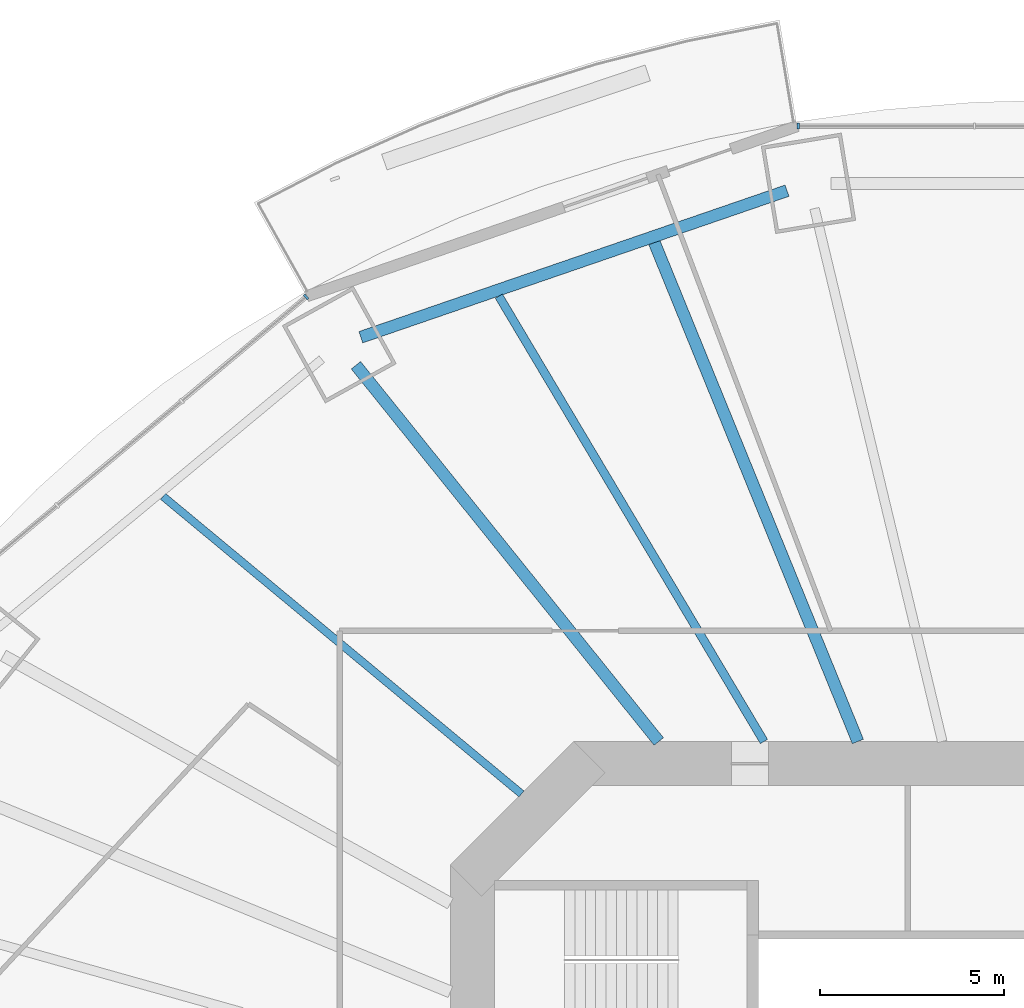
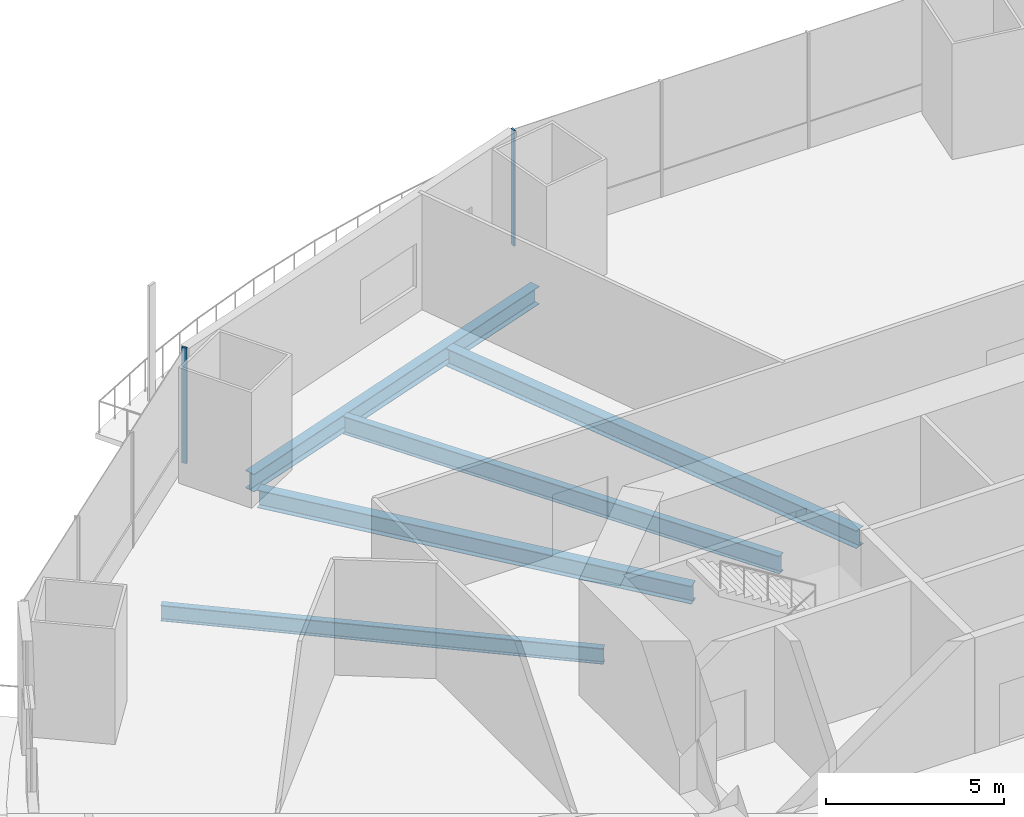
# One storey, part 7 of 23: 5 beams, 2 members, 2 elements without a shape of their own.
"""IFC4 building model written with IfcOpenShell, lengths in metres."""

from ifc_helpers import new_model, si_unit, direction, frame, origin, origin_2d, place, context, subcontext, project, spatial, rectangle, i_section, extrude, material, material_profile, profile_set, type_object, element, aggregate, save


model = new_model("IFC4")

# Units and contexts
model_context = context("Model", 3, precision=1e-05, world=origin(), true_north=direction((0.0, 1.0)))
body_context = subcontext(model_context, "Body", "Model", "MODEL_VIEW")
ifc_project = project(units=[si_unit("LENGTHUNIT", "METRE"), si_unit("AREAUNIT", "SQUARE_METRE"), si_unit("VOLUMEUNIT", "CUBIC_METRE"), si_unit("PLANEANGLEUNIT", "RADIAN"), si_unit("MASSUNIT", "GRAM", prefix="KILO")], contexts=[model_context])

# Site, building, storey
site_placement = place(None, origin())
site = spatial("IfcSite", under=ifc_project, at=site_placement, CompositionType="ELEMENT")
building_placement = place(site_placement, origin())
building = spatial("IfcBuilding", under=site, at=building_placement, Name="Marenthal Gate Tower", CompositionType="ELEMENT")
storey_placement = place(building_placement, frame((0.0, 0.0, 37.14990234375)))
storey = spatial("IfcBuildingStorey", under=building, at=storey_placement, Name="L05", CompositionType="ELEMENT", Elevation=37.14990234375)

# Curtain wall, member
ifc_material_1 = material(Name="Aluminium and glass", Category="aluminium")
curtain_wall_type = type_object("IfcCurtainWallType", Name="Curtain wall typical low", PredefinedType="NOTDEFINED", material=ifc_material_1)
curtain_wall_1_placement = place(storey_placement, origin())
curtain_wall_1 = element("IfcCurtainWall", 1, at=curtain_wall_1_placement, inside=storey, type_object=curtain_wall_type, Name="Curtain wall L05 bay 4", PredefinedType="NOTDEFINED")
ifc_material_2 = material(Name="Aluminium", Category="aluminium")
ifc_material_profile_1 = material_profile(ifc_material_2, rectangle(XDim=0.159912109375, YDim=0.06005859375, at=origin_2d()), Name="60x160 aluminium mullion")
ifc_profile_set_1 = profile_set([ifc_material_profile_1], Name="Aluminium")
member_type = type_object("IfcMemberType", Name="Mullion 60x160 typical low", PredefinedType="MULLION", material=ifc_profile_set_1)
member_1_placement = place(storey_placement, frame((-7.164794921875, 30.28662109375, 0.0), z_axis=(0.0, 0.0, 1.0), x_axis=(0.0, -1.0, 0.0)))
member_1 = element("IfcMember", 2, at=member_1_placement, type_object=member_type, Name="Mullion L05 bay 4.4", PredefinedType="MULLION", context=body_context, shape_type="SweptSolid", body=[
    extrude(rectangle(XDim=0.159912109375, YDim=0.06005859375, at=origin_2d()), origin(), (0.0, 0.0, 1.0), 3.97021484375),
])
aggregate(curtain_wall_1, [member_1])

curtain_wall_2_placement = place(storey_placement, origin())
curtain_wall_2 = element("IfcCurtainWall", 3, at=curtain_wall_2_placement, inside=storey, type_object=curtain_wall_type, Name="Curtain wall L05 bay 6", PredefinedType="NOTDEFINED")
member_2_placement = place(storey_placement, frame((-20.512451171875, 25.656494140625, 0.0), z_axis=(0.0, 0.0, 1.0), x_axis=(0.641982192245, -0.76671954771, 0.0)))
member_2 = element("IfcMember", 4, at=member_2_placement, type_object=member_type, Name="Mullion L05 bay 6.1", PredefinedType="MULLION", context=body_context, shape_type="SweptSolid", body=[
    extrude(rectangle(XDim=0.159912109375, YDim=0.06005859375, at=origin_2d()), origin(), (0.0, 0.0, 1.0), 3.97021484375),
])
aggregate(curtain_wall_2, [member_2])

# Beams
ifc_material_3 = material(Name="Steel S355", Category="steel")
ifc_material_profile_2 = material_profile(ifc_material_3, i_section(OverallWidth=0.2119140625, OverallDepth=0.5439453125, WebThickness=0.01318359375, FlangeThickness=0.021240234375, FilletRadius=0.0126953125, at=origin_2d()), Name="W530X123")
ifc_profile_set_2 = profile_set([ifc_material_profile_2], Name="Steel S355")
beam_type_1 = type_object("IfcBeamType", Name="W530X123 beam", PredefinedType="BEAM", material=ifc_profile_set_2)
beam_1_placement = place(storey_placement, frame((-24.3916015625, 20.245849609375, -0.451904296875), z_axis=(0.769466511284, -0.638687159737, 0.0), x_axis=(0.638687159737, 0.769466511284, 0.0)))
element("IfcBeam", 5, at=beam_1_placement, inside=storey, type_object=beam_type_1, Name="BM-L05-25", PredefinedType="BEAM", context=body_context, shape_type="SweptSolid", body=[
    extrude(i_section(OverallWidth=0.2119140625, OverallDepth=0.5439453125, WebThickness=0.01318359375, FlangeThickness=0.021240234375, FilletRadius=0.0126953125, at=origin_2d()), origin(), (0.0, 0.0, 1.0), 12.6328125),
])
ifc_material_4 = material(Name="Steel S355", Category="steel")
ifc_material_profile_3 = material_profile(ifc_material_4, i_section(OverallWidth=0.22900390625, OverallDepth=0.612060546875, WebThickness=0.011962890625, FlangeThickness=0.01953125, FilletRadius=0.0126953125, at=origin_2d()), Name="W610X125")
ifc_profile_set_3 = profile_set([ifc_material_profile_3], Name="Steel S355")
beam_type_2 = type_object("IfcBeamType", Name="W610X125 beam", PredefinedType="BEAM", material=ifc_profile_set_3)
beam_2_placement = place(storey_placement, frame((-15.28515625, 25.677734375, -0.48583984375), z_axis=(0.511504014048, -0.859280887494, 0.0), x_axis=(0.859280887494, 0.511504014048, 0.0)))
element("IfcBeam", 6, at=beam_2_placement, inside=storey, type_object=beam_type_2, Name="BM-L05-24", PredefinedType="BEAM", context=body_context, shape_type="SweptSolid", body=[
    extrude(i_section(OverallWidth=0.22900390625, OverallDepth=0.612060546875, WebThickness=0.011962890625, FlangeThickness=0.01953125, FilletRadius=0.0126953125, at=origin_2d()), origin(), (0.0, 0.0, 1.0), 14.055419921875),
])
ifc_material_5 = material(Name="Steel S355", Category="steel")
ifc_material_profile_4 = material_profile(ifc_material_5, i_section(OverallWidth=0.324951171875, OverallDepth=0.612060546875, WebThickness=0.0126953125, FlangeThickness=0.01904296875, FilletRadius=0.0126953125, at=origin_2d()), Name="W610X155")
ifc_profile_set_4 = profile_set([ifc_material_profile_4], Name="Steel S355")
beam_type_3 = type_object("IfcBeamType", Name="W610X155 beam", PredefinedType="BEAM", material=ifc_profile_set_4)
beam_3_placement = place(storey_placement, frame((-19.161376953125, 23.802978515625, -0.48583984375), z_axis=(0.627069823545, -0.778963052012, 0.0), x_axis=(0.778963052012, 0.627069823545, 0.0)))
element("IfcBeam", 7, at=beam_3_placement, inside=storey, type_object=beam_type_3, Name="BM-L05-06", PredefinedType="BEAM", context=body_context, shape_type="SweptSolid", body=[
    extrude(i_section(OverallWidth=0.324951171875, OverallDepth=0.612060546875, WebThickness=0.0126953125, FlangeThickness=0.01904296875, FilletRadius=0.0126953125, at=origin_2d()), origin(), (0.0, 0.0, 1.0), 13.09814453125),
])
beam_4_placement = place(storey_placement, frame((-11.06689453125, 27.1279296875, -0.48583984375), z_axis=(0.377734751458, -0.925913849956, 0.0), x_axis=(0.925913849956, 0.377734751458, 0.0)))
element("IfcBeam", 8, at=beam_4_placement, inside=storey, type_object=beam_type_3, Name="BM-L05-23", PredefinedType="BEAM", context=body_context, shape_type="SweptSolid", body=[
    extrude(i_section(OverallWidth=0.324951171875, OverallDepth=0.612060546875, WebThickness=0.0126953125, FlangeThickness=0.01904296875, FilletRadius=0.0126953125, at=origin_2d()), origin(), (0.0, 0.0, 1.0), 14.6103515625),
])
beam_5_placement = place(storey_placement, frame((-7.468994140625, 28.536865234375, -0.48583984375), z_axis=(-0.945669328234, -0.325130007287, 0.0), x_axis=(0.325130007287, -0.945669328234, 0.0)))
element("IfcBeam", 9, at=beam_5_placement, inside=storey, type_object=beam_type_3, Name="BM-L05-45", PredefinedType="BEAM", context=body_context, shape_type="SweptSolid", body=[
    extrude(i_section(OverallWidth=0.324951171875, OverallDepth=0.612060546875, WebThickness=0.0126953125, FlangeThickness=0.01904296875, FilletRadius=0.0126953125, at=origin_2d()), origin(), (0.0, 0.0, 1.0), 12.22314453125),
])

save(model, "model.ifc")
